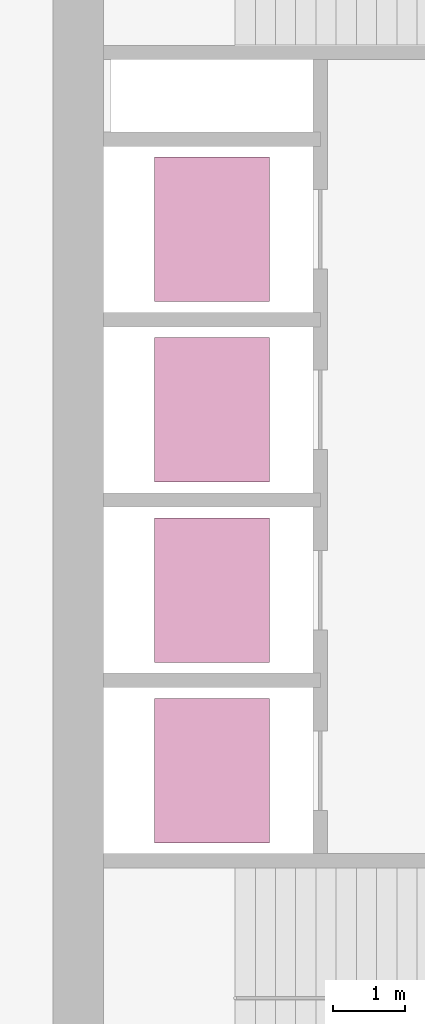
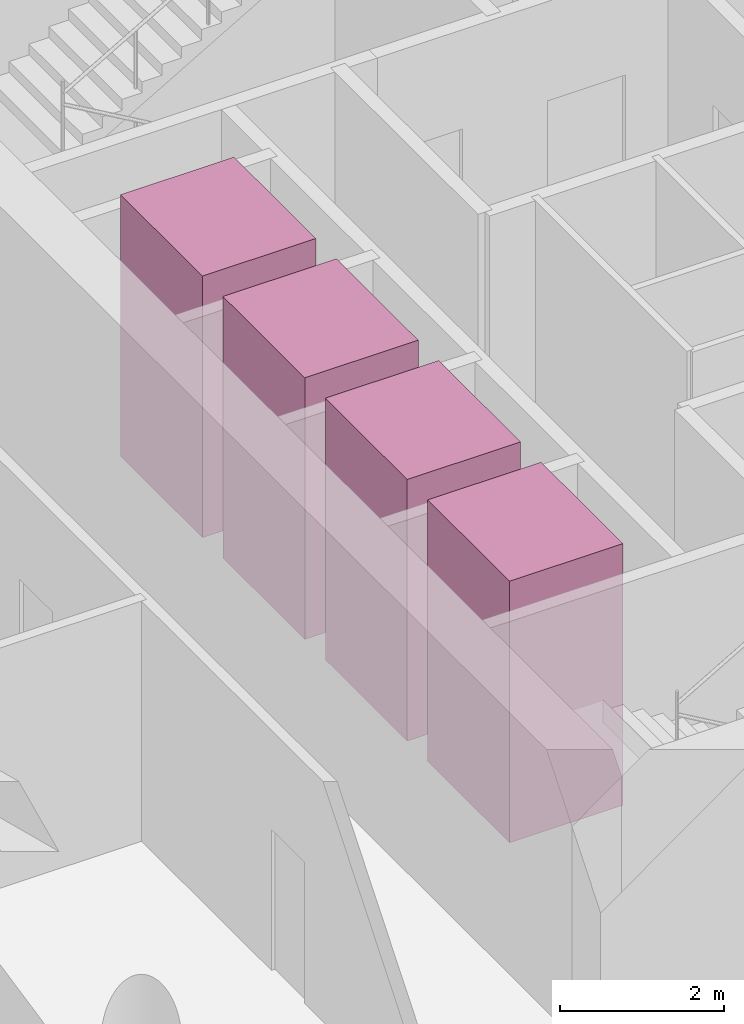
# One storey, part 9 of 9: 4 transport elements.
"""IFC4 building model written with IfcOpenShell, lengths in metres."""

from ifc_helpers import new_model, si_unit, direction, frame, origin, origin_2d, place, context, subcontext, project, spatial, rectangle, extrude, material, type_object, element, save


model = new_model("IFC4")

# Units and contexts
model_context = context("Model", 3, precision=1e-05, world=origin(), true_north=direction((0.0, 1.0)))
body_context = subcontext(model_context, "Body", "Model", "MODEL_VIEW")
ifc_project = project(units=[si_unit("LENGTHUNIT", "METRE"), si_unit("AREAUNIT", "SQUARE_METRE"), si_unit("VOLUMEUNIT", "CUBIC_METRE"), si_unit("PLANEANGLEUNIT", "RADIAN"), si_unit("MASSUNIT", "GRAM", prefix="KILO")], contexts=[model_context])

# Site, building, storey
site_placement = place(None, origin())
site = spatial("IfcSite", under=ifc_project, at=site_placement, CompositionType="ELEMENT")
building_placement = place(site_placement, origin())
building = spatial("IfcBuilding", under=site, at=building_placement, Name="Qaws Garden Tower", CompositionType="ELEMENT")
storey_placement = place(building_placement, frame((0.0, 0.0, 225.300048828125)))
storey = spatial("IfcBuildingStorey", under=building, at=storey_placement, Name="L55", CompositionType="ELEMENT", Elevation=225.300048828125)

# Transport elements
ifc_material = material(Name="Stainless steel 316", Category="steel")
transport_element_type = type_object("IfcTransportElementType", Name="Passenger lift car 2000x1600 1800 kg", PredefinedType="ELEVATOR", material=ifc_material)
for number, where, z_axis, x_axis, name in (
    (1, (10.199951171875, 13.64990234375, 0.0), (0.0, 0.0, 1.0), (1.0, 0.0, 0.0), "MR1"),
    (2, (10.199951171875, 16.14990234375, 0.0), (0.0, 0.0, 1.0), (1.0, 0.0, 0.0), "MR2"),
    (3, (10.199951171875, 18.64990234375, 0.0), (0.0, 0.0, 1.0), (1.0, 0.0, 0.0), "MR3"),
    (4, (10.199951171875, 21.14990234375, 0.0), (0.0, 0.0, 1.0), (1.0, 0.0, 0.0), "MR4"),
):
    element("IfcTransportElement", number, at=place(storey_placement, frame(where, z_axis=z_axis, x_axis=x_axis)), inside=storey, type_object=transport_element_type, Name=name, PredefinedType="ELEVATOR", context=body_context, shape_type="SweptSolid", body=[
        extrude(rectangle(XDim=1.60009765625, YDim=2.0, at=origin_2d()), origin(), (0.0, 0.0, 1.0), 3.89990234375),
    ])

save(model, "model.ifc")
